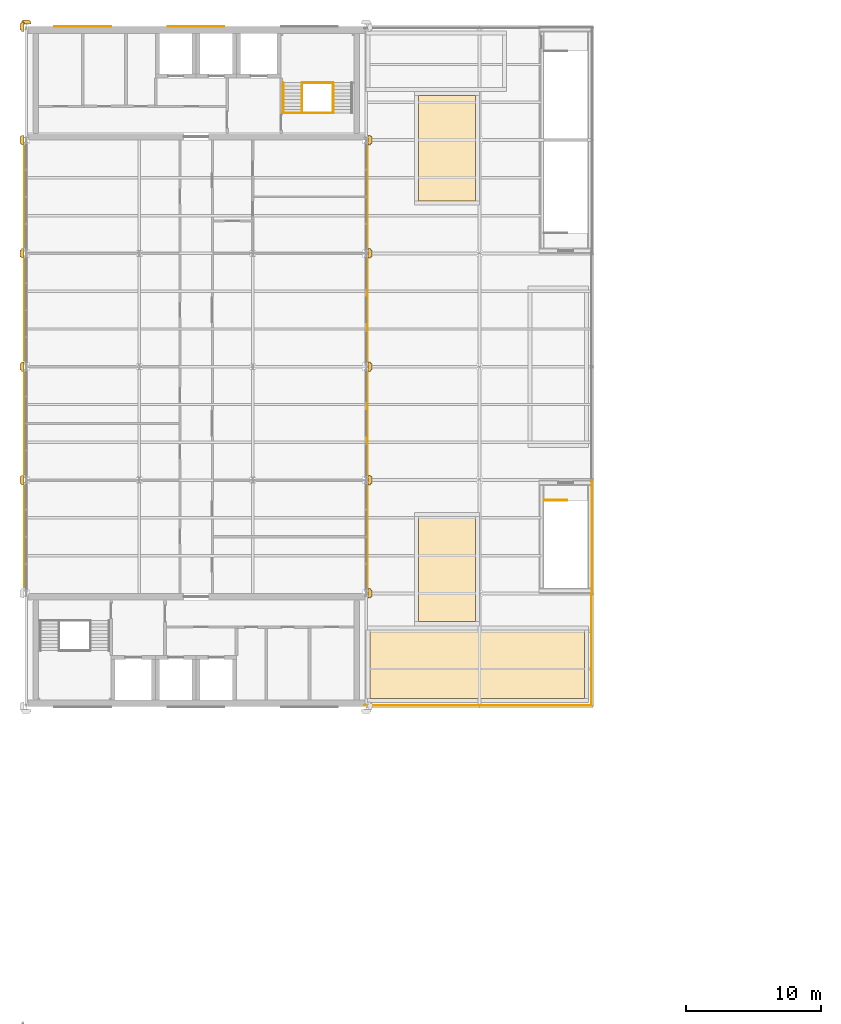
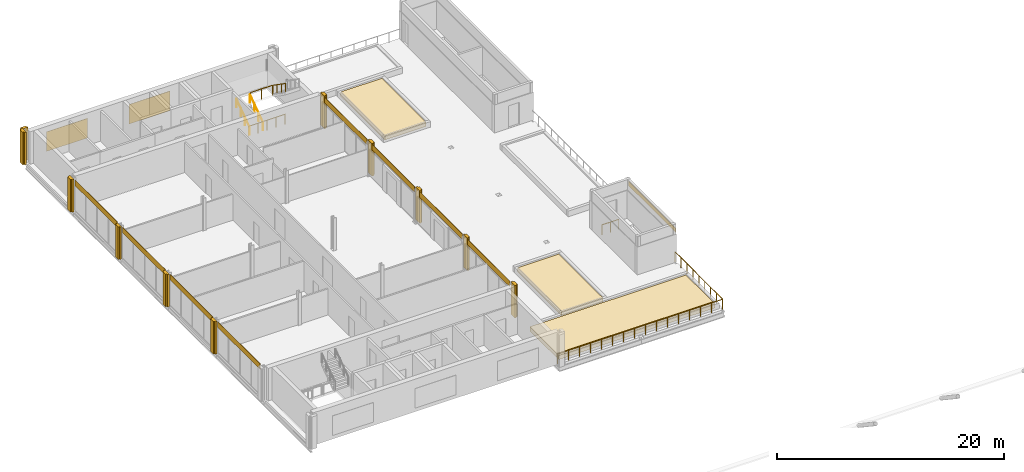
# One storey, part 29 of 32: 25 coverings, 7 railings.
"""IFC4 building model written with IfcOpenShell, lengths in metres."""

import ifcopenshell
import ifcopenshell.guid

model = None  # the IFC model being written
_history = None  # IfcOwnerHistory: only IFC2X3 demands one
_inside = {}  # id of a spatial element -> (the spatial element, [elements in it])
_under = {}  # id of a project, library or spatial element -> (it, [spatial elements below it])
_declared = {}  # id of a project -> (the project, [libraries it declares])
_typed = {}  # id of a type object -> (the type object, [elements of that type])
_made_of = {}  # id of a material, layer set ... -> (it, [elements and type objects made of it])


def new_model(schema):
    """Start an empty IFC model of exactly this schema.

    Asked for "IFC4X3", IfcOpenShell would pick the latest addendum, in which some entities
    have other attributes; the version numbers below select the first issue.
    IFC2X3 requires an IfcOwnerHistory on every rooted entity: one is made here for all.
    """
    global model, _history
    if schema == "IFC4X3":
        model = ifcopenshell.file(schema_version=(4, 3, 0, 0))
    else:
        model = ifcopenshell.file(schema=schema)
    _inside.clear()
    _under.clear()
    _declared.clear()
    _typed.clear()
    _made_of.clear()
    _history = None
    if model.schema == "IFC2X3":
        org = make("IfcOrganization", Name="unknown")
        user = make(
            "IfcPersonAndOrganization",
            ThePerson=make("IfcPerson", FamilyName="unknown"),
            TheOrganization=org,
        )
        app = make(
            "IfcApplication",
            ApplicationDeveloper=org,
            Version="unknown",
            ApplicationFullName="unknown",
            ApplicationIdentifier="unknown",
        )
        _history = make(
            "IfcOwnerHistory",
            OwningUser=user,
            OwningApplication=app,
            ChangeAction="ADDED",
            CreationDate=0,
        )
    return model


def make(cls, **values):
    """One entity of the class cls with the attributes given. An attribute that is None is left unset."""
    return model.create_entity(
        cls, **{name: value for name, value in values.items() if value is not None}
    )


def rooted(cls, **values):
    """An entity with a GlobalId (a new one), such as an element, a storey or a relation."""
    return make(cls, GlobalId=ifcopenshell.guid.new(), OwnerHistory=_history, **values)


def si_unit(unit_type, name, prefix=None):
    """IfcSIUnit, for example si_unit("LENGTHUNIT", "METRE", prefix="MILLI")."""
    return make("IfcSIUnit", UnitType=unit_type, Prefix=prefix, Name=name)


def assignment(units):
    """IfcUnitAssignment: the units of a project."""
    return None if units is None else make("IfcUnitAssignment", Units=units)


def point(xyz):
    """IfcCartesianPoint."""
    return None if xyz is None else make("IfcCartesianPoint", Coordinates=xyz)


def direction(xyz):
    """IfcDirection."""
    return None if xyz is None else make("IfcDirection", DirectionRatios=xyz)


def frame(location, z_axis=None, x_axis=None):
    """IfcAxis2Placement3D, a coordinate frame: its origin and axes. An axis left out is left unset."""
    return make(
        "IfcAxis2Placement3D",
        Location=point(location),
        Axis=direction(z_axis),
        RefDirection=direction(x_axis),
    )


def frame_2d(location, x_axis=None):
    """IfcAxis2Placement2D, a coordinate frame in the plane: its origin and x axis."""
    return make(
        "IfcAxis2Placement2D", Location=point(location), RefDirection=direction(x_axis)
    )


def origin():
    """The frame at (0, 0, 0) with its axes left unset."""
    return frame((0.0, 0.0, 0.0))


def origin_2d():
    """The frame at (0, 0) in the plane with its x axis left unset."""
    return frame_2d((0.0, 0.0))


def place(relative_to, where):
    """IfcLocalPlacement: puts the frame where relative to a parent placement (None: the world)."""
    return make(
        "IfcLocalPlacement", PlacementRelTo=relative_to, RelativePlacement=where
    )


def context(
    kind, dimensions, precision=None, world=None, true_north=None, identifier=None
):
    """IfcGeometricRepresentationContext, for example the 3D "Model" context."""
    return make(
        "IfcGeometricRepresentationContext",
        ContextIdentifier=identifier,
        ContextType=kind,
        CoordinateSpaceDimension=dimensions,
        Precision=precision,
        WorldCoordinateSystem=world,
        TrueNorth=true_north,
    )


def subcontext(parent, identifier, kind, view, scale=None):
    """IfcGeometricRepresentationSubContext, for example "Body" below "Model"."""
    return make(
        "IfcGeometricRepresentationSubContext",
        ContextIdentifier=identifier,
        ContextType=kind,
        ParentContext=parent,
        TargetScale=scale,
        TargetView=view,
    )


def project(units=None, contexts=None):
    """IfcProject with its units and contexts."""
    return rooted(
        "IfcProject",
        Name="project",
        RepresentationContexts=contexts,
        UnitsInContext=assignment(units),
    )


def spatial(cls, under=None, at=None, **own):
    """A site, building, storey or space (cls), placed at a placement, below another one or the project."""
    s = rooted(cls, ObjectPlacement=at, **own)
    if under is not None:
        _under.setdefault(under.id(), (under, []))[1].append(s)
    return s


def polyline(points):
    """IfcPolyline through the points."""
    return make("IfcPolyline", Points=[point(p) for p in points])


def profile(cls, at=None, kind="AREA", **sizes):
    """A parametric profile (cls). Its sizes go by their IFC names, for example OverallWidth=200.0."""
    return make(cls, ProfileType=kind, Position=at, **sizes)


def rectangle(**sizes):
    """IfcRectangleProfileDef."""
    return profile("IfcRectangleProfileDef", **sizes)


def circle(**sizes):
    """IfcCircleProfileDef."""
    return profile("IfcCircleProfileDef", **sizes)


def outline(outer, holes=None, kind="AREA"):
    """IfcArbitraryClosedProfileDef: a profile drawn as a closed curve; with holes, ...WithVoids."""
    if holes is None:
        return make("IfcArbitraryClosedProfileDef", ProfileType=kind, OuterCurve=outer)
    return make(
        "IfcArbitraryProfileDefWithVoids",
        ProfileType=kind,
        OuterCurve=outer,
        InnerCurves=holes,
    )


def extrude(swept, where, along, depth):
    """IfcExtrudedAreaSolid: the profile swept, set in the frame where, extruded along a direction by depth."""
    return make(
        "IfcExtrudedAreaSolid",
        SweptArea=swept,
        Position=where,
        ExtrudedDirection=direction(along),
        Depth=depth,
    )


def shape(context_of_items, identifier, shape_type, items):
    """IfcShapeRepresentation: the items that make up one representation, for example the "Body"."""
    return make(
        "IfcShapeRepresentation",
        ContextOfItems=context_of_items,
        RepresentationIdentifier=identifier,
        RepresentationType=shape_type,
        Items=items,
    )


def material(Name=None, Category=None):
    """IfcMaterial."""
    return make("IfcMaterial", Name=Name, Category=Category)


def layer(
    of_material, thickness, ventilated=None, Name=None, Category=None, Priority=None
):
    """IfcMaterialLayer: one layer of a wall or slab, of a material (None: an air gap)."""
    return make(
        "IfcMaterialLayer",
        Material=of_material,
        LayerThickness=thickness,
        IsVentilated=ventilated,
        Name=Name,
        Category=Category,
        Priority=Priority,
    )


def layer_set(layers, Name=None):
    """IfcMaterialLayerSet."""
    return make("IfcMaterialLayerSet", MaterialLayers=layers, LayerSetName=Name)


def made_of(thing, what):
    """Note that an element or type object is made of a material, layer set ...; save() writes the relation."""
    if what is not None:
        _made_of.setdefault(what.id(), (what, []))[1].append(thing)
    return thing


def type_object(cls, material=None, **own):
    """A type object (cls), such as IfcWallType, which elements share."""
    return made_of(rooted(cls, **own), material)


def element(
    cls,
    number,
    at=None,
    inside=None,
    cuts=None,
    type_object=None,
    material=None,
    context=None,
    identifier="Body",
    shape_type=None,
    held_by="IfcProductDefinitionShape",
    body=None,
    shapes=None,
    **own,
):
    """One element of the class cls, such as IfcWall. Its Tag is "e" and its number.

    at: its placement. inside: the storey or other place that contains it. cuts: it is an
    opening in that element (IfcRelVoidsElement). A single representation is given by context,
    identifier, shape_type and body (its items); several are given by shapes. held_by: the class
    of the entity that holds the representations. save() writes the other relations.
    """
    e = rooted(cls, Tag="e%d" % number, ObjectPlacement=at, **own)
    if body is not None:
        shapes = [shape(context, identifier, shape_type, body)]
    if shapes is not None:
        e.Representation = make(held_by, Representations=shapes)
    if inside is not None:
        _inside.setdefault(inside.id(), (inside, []))[1].append(e)
    if cuts is not None:
        rooted(
            "IfcRelVoidsElement", RelatingBuildingElement=cuts, RelatedOpeningElement=e
        )
    if type_object is not None:
        _typed.setdefault(type_object.id(), (type_object, []))[1].append(e)
    return made_of(e, material)


def aggregate(whole, parts):
    """IfcRelAggregates: a whole, such as a stair, and the parts it consists of."""
    return rooted("IfcRelAggregates", RelatingObject=whole, RelatedObjects=parts)


def save(model, path):
    """Write the relations noted so far, then the file.

    IfcRelAggregates (storeys below a building ...), IfcRelContainedInSpatialStructure (elements
    in a storey), IfcRelDefinesByType, IfcRelAssociatesMaterial and IfcRelDeclares: one each for
    every whole, place, type object, material and project.
    """
    for whole, parts in _under.values():
        aggregate(whole, parts)
    for where, things in _inside.values():
        rooted(
            "IfcRelContainedInSpatialStructure",
            RelatedElements=things,
            RelatingStructure=where,
        )
    for kind, things in _typed.values():
        rooted("IfcRelDefinesByType", RelatedObjects=things, RelatingType=kind)
    for what, things in _made_of.values():
        rooted("IfcRelAssociatesMaterial", RelatedObjects=things, RelatingMaterial=what)
    for by, libraries in _declared.values():
        rooted("IfcRelDeclares", RelatingContext=by, RelatedDefinitions=libraries)
    model.write(path)


model = new_model("IFC4")

# Units and contexts
model_context = context("Model", 3, precision=1e-05, world=origin(), true_north=direction((0.0, 1.0)))
body_context = subcontext(model_context, "Body", "Model", "MODEL_VIEW")
ifc_project = project(units=[si_unit("LENGTHUNIT", "METRE"), si_unit("AREAUNIT", "SQUARE_METRE"), si_unit("VOLUMEUNIT", "CUBIC_METRE"), si_unit("PLANEANGLEUNIT", "RADIAN"), si_unit("MASSUNIT", "GRAM", prefix="KILO")], contexts=[model_context])

# Site, building, storey
site_placement = place(None, origin())
site = spatial("IfcSite", under=ifc_project, at=site_placement, CompositionType="ELEMENT")
building_placement = place(site_placement, origin())
building = spatial("IfcBuilding", under=site, at=building_placement, Name="Catenary Quay Ferry Terminal", CompositionType="ELEMENT")
storey_placement = place(building_placement, frame((0.0, 0.0, 17.10009765625)))
storey = spatial("IfcBuildingStorey", under=building, at=storey_placement, Name="L03", CompositionType="ELEMENT", Elevation=17.10009765625)

# Coverings
ifc_material_1 = material(Name="Ceramic tile")
ifc_layer_1 = layer(ifc_material_1, 0.0400390625)
ifc_layer_set_1 = layer_set([ifc_layer_1], Name="CL2")
covering_type_1 = type_object("IfcCoveringType", Name="CL2", PredefinedType="CLADDING", material=ifc_layer_set_1)
covering_1_placement = place(storey_placement, origin())
element("IfcCovering", 1, at=covering_1_placement, inside=storey, type_object=covering_type_1, Name="Ceramic pier casing", PredefinedType="CLADDING", context=body_context, shape_type="SweptSolid", body=[
    extrude(outline(polyline([(25.050048828125, 201.949951171875), (24.8701171875, 201.949951171875), (24.8701171875, 201.85009765625), (24.75, 201.85009765625), (24.75, 201.35009765625), (24.8701171875, 201.35009765625), (24.8701171875, 201.25), (25.050048828125, 201.25), (25.050048828125, 201.949951171875)])), origin(), (0.0, 0.0, 1.0), 3.5),
])
covering_2_placement = place(storey_placement, origin())
element("IfcCovering", 2, at=covering_2_placement, inside=storey, type_object=covering_type_1, Name="Ceramic pier casing", PredefinedType="CLADDING", context=body_context, shape_type="SweptSolid", body=[
    extrude(outline(polyline([(25.050048828125, 210.35009765625), (24.8701171875, 210.35009765625), (24.8701171875, 210.25), (24.75, 210.25), (24.75, 209.75), (24.8701171875, 209.75), (24.8701171875, 209.64990234375), (25.050048828125, 209.64990234375), (25.050048828125, 210.35009765625)])), origin(), (0.0, 0.0, 1.0), 3.5),
])
covering_3_placement = place(storey_placement, origin())
element("IfcCovering", 3, at=covering_3_placement, inside=storey, type_object=covering_type_1, Name="Ceramic pier casing", PredefinedType="CLADDING", context=body_context, shape_type="SweptSolid", body=[
    extrude(outline(polyline([(25.550048828125, 210.199951171875), (25.550048828125, 210.3798828125), (25.449951171875, 210.3798828125), (25.449951171875, 210.5), (24.949951171875, 210.5), (24.949951171875, 210.3798828125), (24.85009765625, 210.3798828125), (24.85009765625, 210.199951171875), (25.550048828125, 210.199951171875)])), origin(), (0.0, 0.0, 1.0), 3.5),
])
covering_4_placement = place(storey_placement, origin())
element("IfcCovering", 4, at=covering_4_placement, inside=storey, type_object=covering_type_1, Name="Ceramic pier casing", PredefinedType="CLADDING", context=body_context, shape_type="SweptSolid", body=[
    extrude(outline(polyline([(50.550048828125, 167.64990234375), (50.72998046875, 167.64990234375), (50.72998046875, 167.75), (50.85009765625, 167.75), (50.85009765625, 168.25), (50.72998046875, 168.25), (50.72998046875, 168.35009765625), (50.550048828125, 168.35009765625), (50.550048828125, 167.64990234375)])), origin(), (0.0, 0.0, 1.0), 3.5),
])
covering_5_placement = place(storey_placement, origin())
element("IfcCovering", 5, at=covering_5_placement, inside=storey, type_object=covering_type_1, Name="Ceramic pier casing", PredefinedType="CLADDING", context=body_context, shape_type="SweptSolid", body=[
    extrude(outline(polyline([(50.550048828125, 201.25), (50.72998046875, 201.25), (50.72998046875, 201.35009765625), (50.85009765625, 201.35009765625), (50.85009765625, 201.85009765625), (50.72998046875, 201.85009765625), (50.72998046875, 201.949951171875), (50.550048828125, 201.949951171875), (50.550048828125, 201.25)])), origin(), (0.0, 0.0, 1.0), 3.5),
])
covering_6_placement = place(storey_placement, origin())
element("IfcCovering", 6, at=covering_6_placement, inside=storey, type_object=covering_type_1, Name="Ceramic pier casing", PredefinedType="CLADDING", context=body_context, shape_type="SweptSolid", body=[
    extrude(outline(polyline([(25.050048828125, 176.75), (24.8701171875, 176.75), (24.8701171875, 176.64990234375), (24.75, 176.64990234375), (24.75, 176.14990234375), (24.8701171875, 176.14990234375), (24.8701171875, 176.050048828125), (25.050048828125, 176.050048828125), (25.050048828125, 176.75)])), origin(), (0.0, 0.0, 1.0), 3.5),
])
covering_7_placement = place(storey_placement, origin())
element("IfcCovering", 7, at=covering_7_placement, inside=storey, type_object=covering_type_1, Name="Ceramic pier casing", PredefinedType="CLADDING", context=body_context, shape_type="SweptSolid", body=[
    extrude(outline(polyline([(25.050048828125, 185.14990234375), (24.8701171875, 185.14990234375), (24.8701171875, 185.050048828125), (24.75, 185.050048828125), (24.75, 184.550048828125), (24.8701171875, 184.550048828125), (24.8701171875, 184.449951171875), (25.050048828125, 184.449951171875), (25.050048828125, 185.14990234375)])), origin(), (0.0, 0.0, 1.0), 3.5),
])
covering_8_placement = place(storey_placement, origin())
element("IfcCovering", 8, at=covering_8_placement, inside=storey, type_object=covering_type_1, Name="Ceramic pier casing", PredefinedType="CLADDING", context=body_context, shape_type="SweptSolid", body=[
    extrude(outline(polyline([(25.050048828125, 193.550048828125), (24.8701171875, 193.550048828125), (24.8701171875, 193.449951171875), (24.75, 193.449951171875), (24.75, 192.949951171875), (24.8701171875, 192.949951171875), (24.8701171875, 192.85009765625), (25.050048828125, 192.85009765625), (25.050048828125, 193.550048828125)])), origin(), (0.0, 0.0, 1.0), 3.5),
])
covering_9_placement = place(storey_placement, origin())
element("IfcCovering", 9, at=covering_9_placement, inside=storey, type_object=covering_type_1, Name="Ceramic pier casing", PredefinedType="CLADDING", context=body_context, shape_type="SweptSolid", body=[
    extrude(outline(polyline([(50.550048828125, 176.050048828125), (50.72998046875, 176.050048828125), (50.72998046875, 176.14990234375), (50.85009765625, 176.14990234375), (50.85009765625, 176.64990234375), (50.72998046875, 176.64990234375), (50.72998046875, 176.75), (50.550048828125, 176.75), (50.550048828125, 176.050048828125)])), origin(), (0.0, 0.0, 1.0), 3.5),
])
covering_10_placement = place(storey_placement, origin())
element("IfcCovering", 10, at=covering_10_placement, inside=storey, type_object=covering_type_1, Name="Ceramic pier casing", PredefinedType="CLADDING", context=body_context, shape_type="SweptSolid", body=[
    extrude(outline(polyline([(50.550048828125, 184.449951171875), (50.72998046875, 184.449951171875), (50.72998046875, 184.550048828125), (50.85009765625, 184.550048828125), (50.85009765625, 185.050048828125), (50.72998046875, 185.050048828125), (50.72998046875, 185.14990234375), (50.550048828125, 185.14990234375), (50.550048828125, 184.449951171875)])), origin(), (0.0, 0.0, 1.0), 3.5),
])
covering_11_placement = place(storey_placement, origin())
element("IfcCovering", 11, at=covering_11_placement, inside=storey, type_object=covering_type_1, Name="Ceramic pier casing", PredefinedType="CLADDING", context=body_context, shape_type="SweptSolid", body=[
    extrude(outline(polyline([(50.550048828125, 192.85009765625), (50.72998046875, 192.85009765625), (50.72998046875, 192.949951171875), (50.85009765625, 192.949951171875), (50.85009765625, 193.449951171875), (50.72998046875, 193.449951171875), (50.72998046875, 193.550048828125), (50.550048828125, 193.550048828125), (50.550048828125, 192.85009765625)])), origin(), (0.0, 0.0, 1.0), 3.5),
])
ifc_material_2 = material(Name="Ceramic tile")
ifc_layer_2 = layer(ifc_material_2, 0.034912109375)
ifc_layer_set_2 = layer_set([ifc_layer_2], Name="CL5")
covering_type_2 = type_object("IfcCoveringType", Name="CL5", PredefinedType="CLADDING", material=ifc_layer_set_2)
for number, where, z_axis, x_axis, name in (
    (12, (29.39990234375, 210.017578125, 0.39990234375), (0.0, 0.0, 1.0), (1.0, 0.0, 0.0), "Core h210.0 cladding CV350"),
    (13, (37.800048828125, 210.017578125, 0.39990234375), (0.0, 0.0, 1.0), (1.0, 0.0, 0.0), "Core h210.0 cladding CV351"),
):
    element("IfcCovering", number, at=place(storey_placement, frame(where, z_axis=z_axis, x_axis=x_axis)), inside=storey, type_object=covering_type_2, Name=name, PredefinedType="CLADDING", context=body_context, shape_type="SweptSolid", body=[
        extrude(rectangle(XDim=4.199951171875, YDim=0.034912109375, at=origin_2d()), origin(), (0.0, 0.0, 1.0), 2.10009765625),
    ])
ifc_material_3 = material(Name="Glazed ceramic tile, ochre")
ifc_layer_3 = layer(ifc_material_3, 0.030029296875)
ifc_layer_set_3 = layer_set([ifc_layer_3], Name="CL6")
covering_type_3 = type_object("IfcCoveringType", Name="CL6", PredefinedType="CLADDING", material=ifc_layer_set_3)
for number, where, z_axis, x_axis, name in (
    (14, (50.510009765625, 172.199951171875, 2.89990234375), (0.0, 0.0, 1.0), (1.0, 0.0, 0.0), "Band wing v50.4 cladding CV346"),
    (15, (50.510009765625, 180.60009765625, 2.89990234375), (0.0, 0.0, 1.0), (1.0, 0.0, 0.0), "Band wing v50.4 cladding CV347"),
    (16, (50.510009765625, 189.0, 2.89990234375), (0.0, 0.0, 1.0), (1.0, 0.0, 0.0), "Band wing v50.4 cladding CV348"),
    (17, (50.510009765625, 197.39990234375, 2.89990234375), (0.0, 0.0, 1.0), (1.0, 0.0, 0.0), "Band wing v50.4 cladding CV349"),
    (18, (25.090087890625, 172.199951171875, 2.89990234375), (0.0, 0.0, 1.0), (1.0, 0.0, 0.0), "Band wing v25.2 cladding CV353"),
    (19, (25.090087890625, 180.60009765625, 2.89990234375), (0.0, 0.0, 1.0), (1.0, 0.0, 0.0), "Band wing v25.2 cladding CV354"),
    (20, (25.090087890625, 189.0, 2.89990234375), (0.0, 0.0, 1.0), (1.0, 0.0, 0.0), "Band wing v25.2 cladding CV355"),
    (21, (25.090087890625, 197.39990234375, 2.89990234375), (0.0, 0.0, 1.0), (1.0, 0.0, 0.0), "Band wing v25.2 cladding CV356"),
):
    element("IfcCovering", number, at=place(storey_placement, frame(where, z_axis=z_axis, x_axis=x_axis)), inside=storey, type_object=covering_type_3, Name=name, PredefinedType="CLADDING", context=body_context, shape_type="SweptSolid", body=[
        extrude(rectangle(XDim=0.030029296875, YDim=7.5, at=origin_2d()), origin(), (0.0, 0.0, 1.0), 0.60009765625),
    ])
ifc_material_4 = material(Name="Ceramic tile")
ifc_layer_4 = layer(ifc_material_4, 0.030029296875)
ifc_layer_set_4 = layer_set([ifc_layer_4], Name="FR1")
covering_type_4 = type_object("IfcCoveringType", Name="FR1", PredefinedType="CLADDING", material=ifc_layer_set_4)
covering_12_placement = place(storey_placement, frame((67.139892578125, 172.199951171875, 3.19970703125), z_axis=(0.0, 0.0, 1.0), x_axis=(1.0, 0.0, 0.0)))
element("IfcCovering", 22, at=covering_12_placement, inside=storey, type_object=covering_type_4, Name="Glazed tile frieze", PredefinedType="CLADDING", context=body_context, shape_type="SweptSolid", body=[
    extrude(rectangle(XDim=0.030029296875, YDim=8.360107421875, at=origin_2d()), origin(), (0.0, 0.0, 1.0), 0.449951171875),
])

# Railings
ifc_material_5 = material(Name="Steel and glass", Category="steel")
railing_type_1 = type_object("IfcRailingType", Name="GI1", PredefinedType="GUARDRAIL", material=ifc_material_5)
railing_1_placement = place(storey_placement, frame((44.199951171875, 203.60009765625, 0.0)))
element("IfcRailing", 23, at=railing_1_placement, inside=storey, type_object=railing_type_1, Name="HS1 well guard GI97", PredefinedType="GUARDRAIL", context=body_context, shape_type="SweptSolid", body=[
    extrude(circle(Radius=0.02392578125, at=origin_2d()), frame((0.0, 0.0, 1.076171875), z_axis=(1.0, 0.0, 0.0), x_axis=(0.0, 1.0, 0.0)), (0.0, 0.0, 1.0), 3.699951171875),
    extrude(circle(Radius=0.02099609375, at=origin_2d()), origin(), (0.0, 0.0, 1.0), 1.052001953125),
    extrude(circle(Radius=0.02099609375, at=origin_2d()), frame((0.925048828125, 0.0, 0.0)), (0.0, 0.0, 1.0), 1.052001953125),
    extrude(circle(Radius=0.02099609375, at=origin_2d()), frame((1.85009765625, 0.0, 0.0)), (0.0, 0.0, 1.0), 1.052001953125),
    extrude(circle(Radius=0.02099609375, at=origin_2d()), frame((2.77490234375, 0.0, 0.0)), (0.0, 0.0, 1.0), 1.052001953125),
    extrude(circle(Radius=0.02099609375, at=origin_2d()), frame((3.699951171875, 0.0, 0.0)), (0.0, 0.0, 1.0), 1.052001953125),
])
railing_2_placement = place(storey_placement, frame((45.699951171875, 205.85009765625, 1.75)))
element("IfcRailing", 24, at=railing_2_placement, inside=storey, type_object=railing_type_1, Name="HS1 landing guard GI112", PredefinedType="GUARDRAIL", context=body_context, shape_type="SweptSolid", body=[
    extrude(circle(Radius=0.02392578125, at=origin_2d()), frame((0.0, 0.0, 1.076171875), z_axis=(1.0, 0.0, 0.0), x_axis=(0.0, 1.0, 0.0)), (0.0, 0.0, 1.0), 2.199951171875),
    extrude(circle(Radius=0.02099609375, at=origin_2d()), origin(), (0.0, 0.0, 1.0), 1.052001953125),
    extrude(circle(Radius=0.02099609375, at=origin_2d()), frame((1.10009765625, 0.0, 0.0)), (0.0, 0.0, 1.0), 1.052001953125),
    extrude(circle(Radius=0.02099609375, at=origin_2d()), frame((2.199951171875, 0.0, 0.0)), (0.0, 0.0, 1.0), 1.052001953125),
])
railing_3_placement = place(storey_placement, frame((63.60009765625, 174.89990234375, 0.0)))
element("IfcRailing", 25, at=railing_3_placement, inside=storey, type_object=railing_type_1, Name="HS3 well guard GI203", PredefinedType="GUARDRAIL", context=body_context, shape_type="SweptSolid", body=[
    extrude(circle(Radius=0.02392578125, at=origin_2d()), frame((0.0, 0.0, 1.076171875), z_axis=(1.0, 0.0, 0.0), x_axis=(0.0, 1.0, 0.0)), (0.0, 0.0, 1.0), 1.699951171875),
    extrude(circle(Radius=0.02099609375, at=origin_2d()), origin(), (0.0, 0.0, 1.0), 1.052001953125),
    extrude(circle(Radius=0.02099609375, at=origin_2d()), frame((0.85009765625, 0.0, 0.0)), (0.0, 0.0, 1.0), 1.052001953125),
    extrude(circle(Radius=0.02099609375, at=origin_2d()), frame((1.699951171875, 0.0, 0.0)), (0.0, 0.0, 1.0), 1.052001953125),
])
ifc_material_6 = material(Name="Steel", Category="steel")
railing_type_2 = type_object("IfcRailingType", Name="GT1", PredefinedType="GUARDRAIL", material=ifc_material_6)
railing_4_placement = place(storey_placement, frame((67.10009765625, 168.10009765625, 0.0)))
element("IfcRailing", 26, at=railing_4_placement, inside=storey, type_object=railing_type_2, Name="Terrace guard GR29", PredefinedType="GUARDRAIL", context=body_context, shape_type="SweptSolid", body=[
    extrude(circle(Radius=0.02392578125, at=origin_2d()), frame((0.0, 0.0, 1.076171875), z_axis=(0.0, -1.0, 0.0), x_axis=(1.0, 0.0, 0.0)), (0.0, 0.0, 1.0), 8.400146484375),
    extrude(circle(Radius=0.02392578125, at=origin_2d()), frame((0.0, -8.400146484375, 1.076171875), z_axis=(-1.0, 0.0, 0.0), x_axis=(0.0, -1.0, 0.0)), (0.0, 0.0, 1.0), 16.800048828125),
    extrude(circle(Radius=0.02099609375, at=origin_2d()), origin(), (0.0, 0.0, 1.0), 1.052001953125),
    extrude(circle(Radius=0.02099609375, at=origin_2d()), frame((0.0, -1.050048828125, 0.0)), (0.0, 0.0, 1.0), 1.052001953125),
    extrude(circle(Radius=0.02099609375, at=origin_2d()), frame((0.0, -2.10009765625, 0.0)), (0.0, 0.0, 1.0), 1.052001953125),
    extrude(circle(Radius=0.02099609375, at=origin_2d()), frame((0.0, -3.150146484375, 0.0)), (0.0, 0.0, 1.0), 1.052001953125),
    extrude(circle(Radius=0.02099609375, at=origin_2d()), frame((0.0, -4.2001953125, 0.0)), (0.0, 0.0, 1.0), 1.052001953125),
    extrude(circle(Radius=0.02099609375, at=origin_2d()), frame((0.0, -5.25, 0.0)), (0.0, 0.0, 1.0), 1.052001953125),
    extrude(circle(Radius=0.02099609375, at=origin_2d()), frame((0.0, -6.300048828125, 0.0)), (0.0, 0.0, 1.0), 1.052001953125),
    extrude(circle(Radius=0.02099609375, at=origin_2d()), frame((0.0, -7.35009765625, 0.0)), (0.0, 0.0, 1.0), 1.052001953125),
    extrude(circle(Radius=0.02099609375, at=origin_2d()), frame((0.0, -8.400146484375, 0.0)), (0.0, 0.0, 1.0), 1.052001953125),
    extrude(circle(Radius=0.02099609375, at=origin_2d()), frame((-1.1201171875, -8.400146484375, 0.0)), (0.0, 0.0, 1.0), 1.052001953125),
    extrude(circle(Radius=0.02099609375, at=origin_2d()), frame((-2.239990234375, -8.400146484375, 0.0)), (0.0, 0.0, 1.0), 1.052001953125),
    extrude(circle(Radius=0.02099609375, at=origin_2d()), frame((-3.360107421875, -8.400146484375, 0.0)), (0.0, 0.0, 1.0), 1.052001953125),
    extrude(circle(Radius=0.02099609375, at=origin_2d()), frame((-4.47998046875, -8.400146484375, 0.0)), (0.0, 0.0, 1.0), 1.052001953125),
    extrude(circle(Radius=0.02099609375, at=origin_2d()), frame((-5.60009765625, -8.400146484375, 0.0)), (0.0, 0.0, 1.0), 1.052001953125),
    extrude(circle(Radius=0.02099609375, at=origin_2d()), frame((-6.719970703125, -8.400146484375, 0.0)), (0.0, 0.0, 1.0), 1.052001953125),
    extrude(circle(Radius=0.02099609375, at=origin_2d()), frame((-7.840087890625, -8.400146484375, 0.0)), (0.0, 0.0, 1.0), 1.052001953125),
    extrude(circle(Radius=0.02099609375, at=origin_2d()), frame((-8.9599609375, -8.400146484375, 0.0)), (0.0, 0.0, 1.0), 1.052001953125),
    extrude(circle(Radius=0.02099609375, at=origin_2d()), frame((-10.080078125, -8.400146484375, 0.0)), (0.0, 0.0, 1.0), 1.052001953125),
    extrude(circle(Radius=0.02099609375, at=origin_2d()), frame((-11.199951171875, -8.400146484375, 0.0)), (0.0, 0.0, 1.0), 1.052001953125),
    extrude(circle(Radius=0.02099609375, at=origin_2d()), frame((-12.320068359375, -8.400146484375, 0.0)), (0.0, 0.0, 1.0), 1.052001953125),
    extrude(circle(Radius=0.02099609375, at=origin_2d()), frame((-13.43994140625, -8.400146484375, 0.0)), (0.0, 0.0, 1.0), 1.052001953125),
    extrude(circle(Radius=0.02099609375, at=origin_2d()), frame((-14.56005859375, -8.400146484375, 0.0)), (0.0, 0.0, 1.0), 1.052001953125),
    extrude(circle(Radius=0.02099609375, at=origin_2d()), frame((-15.679931640625, -8.400146484375, 0.0)), (0.0, 0.0, 1.0), 1.052001953125),
    extrude(circle(Radius=0.02099609375, at=origin_2d()), frame((-16.800048828125, -8.400146484375, 0.0)), (0.0, 0.0, 1.0), 1.052001953125),
])
ifc_material_7 = material(Name="Stainless steel", Category="steel")
railing_type_3 = type_object("IfcRailingType", Name="HR1", PredefinedType="HANDRAIL", material=ifc_material_7)
for number, where, name in (
    (27, (44.260009765625, 203.60009765625, 0.1748046875), "HS1 F1A handrail HR107"),
    (28, (45.639892578125, 203.60009765625, 0.1748046875), "HS1 F1B handrail HR108"),
):
    element("IfcRailing", number, at=place(storey_placement, frame(where)), inside=storey, type_object=railing_type_3, Name=name, PredefinedType="HANDRAIL", context=body_context, shape_type="SweptSolid", body=[
        extrude(circle(Radius=0.02392578125, at=origin_2d()), frame((0.0, 0.0, 0.8759765625), z_axis=(0.0, 0.819198511285, 0.573510068881), x_axis=(-1.0, 0.0, 0.0)), (0.0, 0.0, 1.0), 2.74658203125),
        extrude(circle(Radius=0.02099609375, at=origin_2d()), origin(), (0.0, 0.0, 1.0), 0.851806640625),
        extrude(circle(Radius=0.02099609375, at=origin_2d()), frame((0.0, 0.75, 0.525146484375)), (0.0, 0.0, 1.0), 0.851806640625),
        extrude(circle(Radius=0.02099609375, at=origin_2d()), frame((0.0, 1.5, 1.050048828125)), (0.0, 0.0, 1.0), 0.851806640625),
        extrude(circle(Radius=0.02099609375, at=origin_2d()), frame((0.0, 2.25, 1.5751953125)), (0.0, 0.0, 1.0), 0.851806640625),
    ])
railing_5_placement = place(storey_placement, frame((47.9599609375, 205.85009765625, 1.9248046875)))
element("IfcRailing", 29, at=railing_5_placement, inside=storey, type_object=railing_type_3, Name="HS1 F2A handrail HR109", PredefinedType="HANDRAIL", context=body_context, shape_type="SweptSolid", body=[
    extrude(circle(Radius=0.02392578125, at=origin_2d()), frame((0.0, 0.0, 0.8759765625), z_axis=(0.0, -0.819198511285, 0.573510068881), x_axis=(1.0, 0.0, 0.0)), (0.0, 0.0, 1.0), 2.74658203125),
    extrude(circle(Radius=0.02099609375, at=origin_2d()), origin(), (0.0, 0.0, 1.0), 0.851806640625),
    extrude(circle(Radius=0.02099609375, at=origin_2d()), frame((0.0, -0.75, 0.525146484375)), (0.0, 0.0, 1.0), 0.851806640625),
    extrude(circle(Radius=0.02099609375, at=origin_2d()), frame((0.0, -1.5, 1.050048828125)), (0.0, 0.0, 1.0), 0.851806640625),
    extrude(circle(Radius=0.02099609375, at=origin_2d()), frame((0.0, -2.25, 1.5751953125)), (0.0, 0.0, 1.0), 0.851806640625),
])

# Coverings
ifc_material_8 = material(Name="Planting soil")
ifc_layer_5 = layer(ifc_material_8, 0.449951171875)
ifc_layer_set_5 = layer_set([ifc_layer_5], Name="SO1")
covering_type_5 = type_object("IfcCoveringType", Name="SO1", PredefinedType="FLOORING", material=ifc_layer_set_5)
covering_13_placement = place(storey_placement, frame((58.64990234375, 162.75, 0.0), z_axis=(0.0, 0.0, 1.0), x_axis=(1.0, 0.0, 0.0)))
element("IfcCovering", 30, at=covering_13_placement, inside=storey, type_object=covering_type_5, Name="Planting soil bed", PredefinedType="FLOORING", context=body_context, shape_type="SweptSolid", body=[
    extrude(rectangle(XDim=15.89990234375, YDim=5.10009765625, at=origin_2d()), origin(), (0.0, 0.0, 1.0), 0.449951171875),
])
for number, where, z_axis, x_axis, name in (
    (31, (56.39990234375, 169.800048828125, 0.0), (0.0, 0.0, 1.0), (1.0, 0.0, 0.0), "Planting soil bed"),
    (32, (56.39990234375, 201.0, 0.0), (0.0, 0.0, 1.0), (1.0, 0.0, 0.0), "Planting soil bed"),
):
    element("IfcCovering", number, at=place(storey_placement, frame(where, z_axis=z_axis, x_axis=x_axis)), inside=storey, type_object=covering_type_5, Name=name, PredefinedType="FLOORING", context=body_context, shape_type="SweptSolid", body=[
        extrude(rectangle(XDim=4.199951171875, YDim=7.800048828125, at=origin_2d()), origin(), (0.0, 0.0, 1.0), 0.449951171875),
    ])

save(model, "model.ifc")
